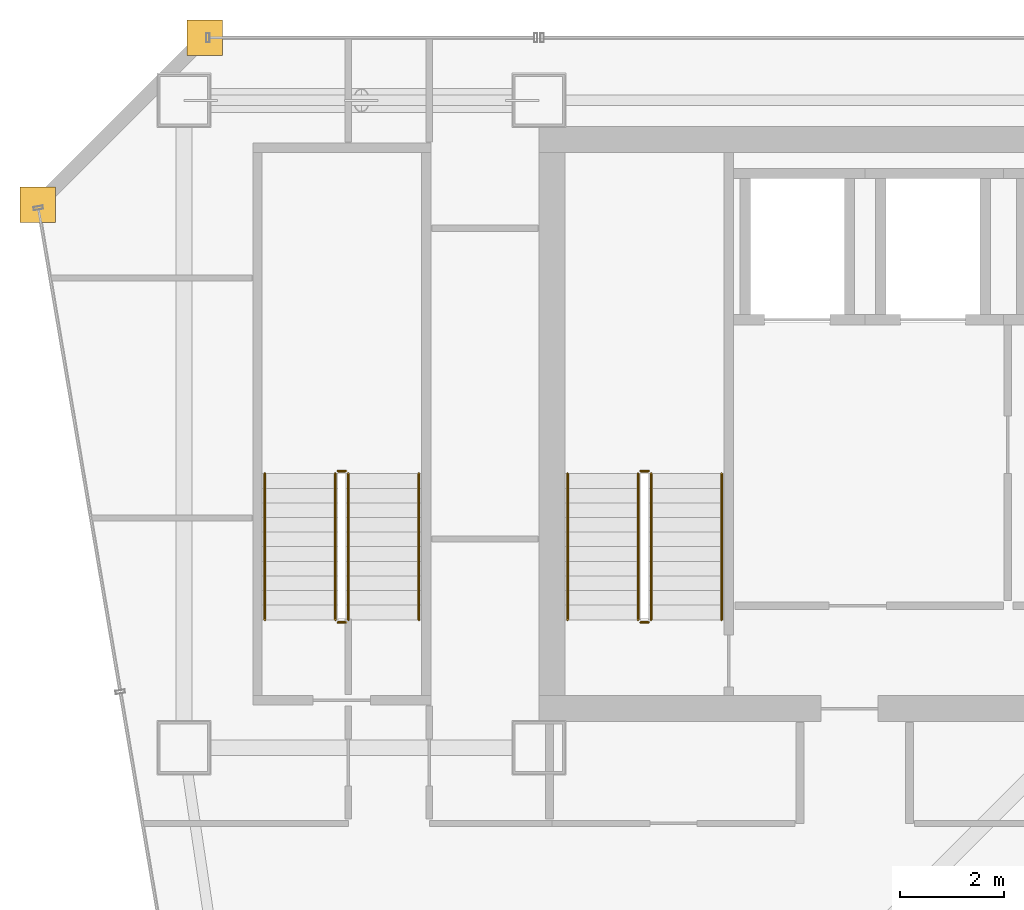
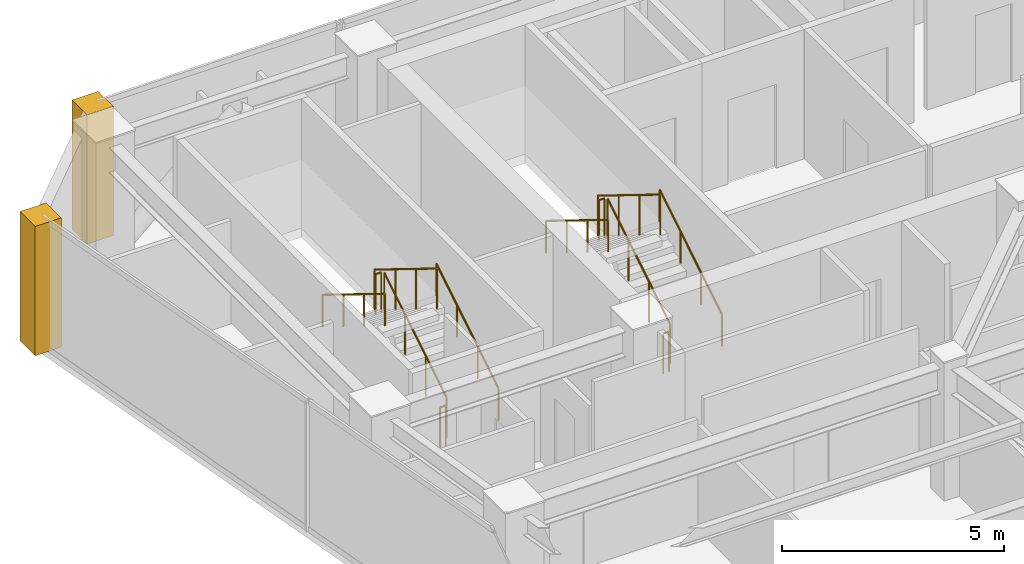
# One storey, part 34 of 35: 12 railings, 2 coverings.
"""IFC4 building model written with IfcOpenShell, lengths in metres."""

from ifc_helpers import new_model, si_unit, direction, frame, origin, origin_2d, place, context, subcontext, project, spatial, polyline, circle, outline, extrude, material, layer, layer_set, type_object, element, save


model = new_model("IFC4")

# Units and contexts
model_context = context("Model", 3, precision=1e-05, world=origin(), true_north=direction((0.0, 1.0)))
body_context = subcontext(model_context, "Body", "Model", "MODEL_VIEW")
ifc_project = project(units=[si_unit("LENGTHUNIT", "METRE"), si_unit("AREAUNIT", "SQUARE_METRE"), si_unit("VOLUMEUNIT", "CUBIC_METRE"), si_unit("PLANEANGLEUNIT", "RADIAN"), si_unit("MASSUNIT", "GRAM", prefix="KILO")], contexts=[model_context])

# Site, building, storey
site_placement = place(None, origin())
site = spatial("IfcSite", under=ifc_project, at=site_placement, CompositionType="ELEMENT")
building_placement = place(site_placement, origin())
building = spatial("IfcBuilding", under=site, at=building_placement, Name="Saevonmaru Cultural Tower", CompositionType="ELEMENT")
storey_placement = place(building_placement, frame((0.0, 0.0, 179.0)))
storey = spatial("IfcBuildingStorey", under=building, at=storey_placement, Name="L40", CompositionType="ELEMENT", Elevation=179.0)

# Coverings
ifc_material_1 = material(Name="Satin Bronze Anodised Aluminium", Category="aluminium")
ifc_layer = layer(ifc_material_1, 0.679931640625, Name="Satin Bronze Anodised Aluminium")
ifc_layer_set = layer_set([ifc_layer], Name="Satin Bronze Anodised Aluminium")
covering_type = type_object("IfcCoveringType", Name="CV-CORNER-CLAD", PredefinedType="CLADDING", material=ifc_layer_set)
covering_1_placement = place(storey_placement, origin())
element("IfcCovering", 1, at=covering_1_placement, inside=storey, type_object=covering_type, Name="L40 Tower Bronze Corner Cladding Pier 11", PredefinedType="CLADDING", context=body_context, shape_type="SweptSolid", body=[
    extrude(outline(polyline([(6.860107421875, 55.659912109375), (7.5400390625, 55.659912109375), (7.5400390625, 56.340087890625), (6.860107421875, 56.340087890625), (6.860107421875, 55.659912109375)])), origin(), (0.0, 0.0, 1.0), 3.550048828125),
])
covering_2_placement = place(storey_placement, origin())
element("IfcCovering", 2, at=covering_2_placement, inside=storey, type_object=covering_type, Name="L40 Tower Bronze Corner Cladding Pier 12", PredefinedType="CLADDING", context=body_context, shape_type="SweptSolid", body=[
    extrude(outline(polyline([(3.659912109375, 52.4599609375), (4.340087890625, 52.4599609375), (4.340087890625, 53.139892578125), (3.659912109375, 53.139892578125), (3.659912109375, 52.4599609375)])), origin(), (0.0, 0.0, 1.0), 3.550048828125),
])

# Railings
ifc_material_2 = material(Name="Architectural Painted Steel", Category="steel")
railing_type_1 = type_object("IfcRailingType", Name="RL-STAIR-GUARD", PredefinedType="GUARDRAIL", material=ifc_material_2)
railing_1_placement = place(storey_placement, frame((15.75, 44.85009765625, 0.172607421875)))
element("IfcRailing", 3, at=railing_1_placement, inside=storey, type_object=railing_type_1, Name="L40 ST-1 stair guard 1", PredefinedType="GUARDRAIL", context=body_context, shape_type="SweptSolid", body=[
    extrude(circle(Radius=0.02392578125, at=origin_2d()), frame((0.0, 0.0, 1.09619140625), z_axis=(0.0, 0.851069175582, 0.525053576669), x_axis=(-1.0, 0.0, 0.0)), (0.0, 0.0, 1.0), 3.289794921875),
    extrude(circle(Radius=0.02099609375, at=origin_2d()), origin(), (0.0, 0.0, 1.0), 1.072021484375),
    extrude(circle(Radius=0.02099609375, at=origin_2d()), frame((0.0, 0.933349609375, 0.57568359375)), (0.0, 0.0, 1.0), 1.072021484375),
    extrude(circle(Radius=0.02099609375, at=origin_2d()), frame((0.0, 1.866455078125, 1.151611328125)), (0.0, 0.0, 1.0), 1.072021484375),
    extrude(circle(Radius=0.02099609375, at=origin_2d()), frame((0.0, 2.7998046875, 1.727294921875)), (0.0, 0.0, 1.0), 1.072021484375),
])
railing_2_placement = place(storey_placement, frame((15.699951171875, 47.699951171875, 1.89990234375)))
element("IfcRailing", 4, at=railing_2_placement, inside=storey, type_object=railing_type_1, Name="L40 ST-1 stair guard 2", PredefinedType="GUARDRAIL", context=body_context, shape_type="SweptSolid", body=[
    extrude(circle(Radius=0.02392578125, at=origin_2d()), frame((0.0, 0.0, 1.09619140625), z_axis=(-1.0, 0.0, 0.0), x_axis=(0.0, -1.0, 0.0)), (0.0, 0.0, 1.0), 0.14990234375),
    extrude(circle(Radius=0.02099609375, at=origin_2d()), origin(), (0.0, 0.0, 1.0), 1.072021484375),
    extrude(circle(Radius=0.02099609375, at=origin_2d()), frame((-0.14990234375, 0.0, 0.0)), (0.0, 0.0, 1.0), 1.072021484375),
])
railing_3_placement = place(storey_placement, frame((15.5, 47.64990234375, 2.07275390625)))
element("IfcRailing", 5, at=railing_3_placement, inside=storey, type_object=railing_type_1, Name="L40 ST-1 stair guard 3", PredefinedType="GUARDRAIL", context=body_context, shape_type="SweptSolid", body=[
    extrude(circle(Radius=0.02392578125, at=origin_2d()), frame((0.0, 0.0, 1.09619140625), z_axis=(0.0, -0.851069175582, 0.525053576669), x_axis=(1.0, 0.0, 0.0)), (0.0, 0.0, 1.0), 3.289794921875),
    extrude(circle(Radius=0.02099609375, at=origin_2d()), origin(), (0.0, 0.0, 1.0), 1.072021484375),
    extrude(circle(Radius=0.02099609375, at=origin_2d()), frame((0.0, -0.933349609375, 0.57568359375)), (0.0, 0.0, 1.0), 1.072021484375),
    extrude(circle(Radius=0.02099609375, at=origin_2d()), frame((0.0, -1.866455078125, 1.151611328125)), (0.0, 0.0, 1.0), 1.072021484375),
    extrude(circle(Radius=0.02099609375, at=origin_2d()), frame((0.0, -2.7998046875, 1.727294921875)), (0.0, 0.0, 1.0), 1.072021484375),
])
railing_4_placement = place(storey_placement, frame((15.699951171875, 44.800048828125, 0.0)))
element("IfcRailing", 6, at=railing_4_placement, inside=storey, type_object=railing_type_1, Name="L40 ST-1 stair guard 4", PredefinedType="GUARDRAIL", context=body_context, shape_type="SweptSolid", body=[
    extrude(circle(Radius=0.02392578125, at=origin_2d()), frame((0.0, 0.0, 1.09619140625), z_axis=(-1.0, 0.0, 0.0), x_axis=(0.0, -1.0, 0.0)), (0.0, 0.0, 1.0), 0.14990234375),
    extrude(circle(Radius=0.02099609375, at=origin_2d()), origin(), (0.0, 0.0, 1.0), 1.072021484375),
    extrude(circle(Radius=0.02099609375, at=origin_2d()), frame((-0.14990234375, 0.0, 0.0)), (0.0, 0.0, 1.0), 1.072021484375),
])
railing_5_placement = place(storey_placement, frame((9.949951171875, 44.85009765625, 0.172607421875)))
element("IfcRailing", 7, at=railing_5_placement, inside=storey, type_object=railing_type_1, Name="L40 ST-3 stair guard 1", PredefinedType="GUARDRAIL", context=body_context, shape_type="SweptSolid", body=[
    extrude(circle(Radius=0.02392578125, at=origin_2d()), frame((0.0, 0.0, 1.09619140625), z_axis=(0.0, 0.851069175582, 0.525053576669), x_axis=(-1.0, 0.0, 0.0)), (0.0, 0.0, 1.0), 3.289794921875),
    extrude(circle(Radius=0.02099609375, at=origin_2d()), origin(), (0.0, 0.0, 1.0), 1.072021484375),
    extrude(circle(Radius=0.02099609375, at=origin_2d()), frame((0.0, 0.933349609375, 0.57568359375)), (0.0, 0.0, 1.0), 1.072021484375),
    extrude(circle(Radius=0.02099609375, at=origin_2d()), frame((0.0, 1.866455078125, 1.151611328125)), (0.0, 0.0, 1.0), 1.072021484375),
    extrude(circle(Radius=0.02099609375, at=origin_2d()), frame((0.0, 2.7998046875, 1.727294921875)), (0.0, 0.0, 1.0), 1.072021484375),
])
railing_6_placement = place(storey_placement, frame((9.89990234375, 47.699951171875, 1.89990234375)))
element("IfcRailing", 8, at=railing_6_placement, inside=storey, type_object=railing_type_1, Name="L40 ST-3 stair guard 2", PredefinedType="GUARDRAIL", context=body_context, shape_type="SweptSolid", body=[
    extrude(circle(Radius=0.02392578125, at=origin_2d()), frame((0.0, 0.0, 1.09619140625), z_axis=(-1.0, 0.0, 0.0), x_axis=(0.0, -1.0, 0.0)), (0.0, 0.0, 1.0), 0.14990234375),
    extrude(circle(Radius=0.02099609375, at=origin_2d()), origin(), (0.0, 0.0, 1.0), 1.072021484375),
    extrude(circle(Radius=0.02099609375, at=origin_2d()), frame((-0.14990234375, 0.0, 0.0)), (0.0, 0.0, 1.0), 1.072021484375),
])
railing_7_placement = place(storey_placement, frame((9.699951171875, 47.64990234375, 2.07275390625)))
element("IfcRailing", 9, at=railing_7_placement, inside=storey, type_object=railing_type_1, Name="L40 ST-3 stair guard 3", PredefinedType="GUARDRAIL", context=body_context, shape_type="SweptSolid", body=[
    extrude(circle(Radius=0.02392578125, at=origin_2d()), frame((0.0, 0.0, 1.09619140625), z_axis=(0.0, -0.851069175582, 0.525053576669), x_axis=(1.0, 0.0, 0.0)), (0.0, 0.0, 1.0), 3.289794921875),
    extrude(circle(Radius=0.02099609375, at=origin_2d()), origin(), (0.0, 0.0, 1.0), 1.072021484375),
    extrude(circle(Radius=0.02099609375, at=origin_2d()), frame((0.0, -0.933349609375, 0.57568359375)), (0.0, 0.0, 1.0), 1.072021484375),
    extrude(circle(Radius=0.02099609375, at=origin_2d()), frame((0.0, -1.866455078125, 1.151611328125)), (0.0, 0.0, 1.0), 1.072021484375),
    extrude(circle(Radius=0.02099609375, at=origin_2d()), frame((0.0, -2.7998046875, 1.727294921875)), (0.0, 0.0, 1.0), 1.072021484375),
])
railing_8_placement = place(storey_placement, frame((9.89990234375, 44.800048828125, 0.0)))
element("IfcRailing", 10, at=railing_8_placement, inside=storey, type_object=railing_type_1, Name="L40 ST-3 stair guard 4", PredefinedType="GUARDRAIL", context=body_context, shape_type="SweptSolid", body=[
    extrude(circle(Radius=0.02392578125, at=origin_2d()), frame((0.0, 0.0, 1.09619140625), z_axis=(-1.0, 0.0, 0.0), x_axis=(0.0, -1.0, 0.0)), (0.0, 0.0, 1.0), 0.14990234375),
    extrude(circle(Radius=0.02099609375, at=origin_2d()), origin(), (0.0, 0.0, 1.0), 1.072021484375),
    extrude(circle(Radius=0.02099609375, at=origin_2d()), frame((-0.14990234375, 0.0, 0.0)), (0.0, 0.0, 1.0), 1.072021484375),
])
railing_type_2 = type_object("IfcRailingType", Name="RL-STAIR-HANDRAIL", PredefinedType="HANDRAIL", material=ifc_material_1)
railing_9_placement = place(storey_placement, frame((17.10009765625, 44.85009765625, 0.172607421875)))
element("IfcRailing", 11, at=railing_9_placement, inside=storey, type_object=railing_type_2, Name="L40 ST-1 stair handrail 1", PredefinedType="HANDRAIL", context=body_context, shape_type="SweptSolid", body=[
    extrude(circle(Radius=0.02392578125, at=origin_2d()), frame((0.0, 0.0, 0.8759765625), z_axis=(0.0, 0.851069175582, 0.525053576669), x_axis=(-1.0, 0.0, 0.0)), (0.0, 0.0, 1.0), 3.289794921875),
    extrude(circle(Radius=0.02099609375, at=origin_2d()), origin(), (0.0, 0.0, 1.0), 0.851806640625),
    extrude(circle(Radius=0.02099609375, at=origin_2d()), frame((0.0, 0.933349609375, 0.57568359375)), (0.0, 0.0, 1.0), 0.851806640625),
    extrude(circle(Radius=0.02099609375, at=origin_2d()), frame((0.0, 1.866455078125, 1.151611328125)), (0.0, 0.0, 1.0), 0.851806640625),
    extrude(circle(Radius=0.02099609375, at=origin_2d()), frame((0.0, 2.7998046875, 1.727294921875)), (0.0, 0.0, 1.0), 0.851806640625),
])
railing_10_placement = place(storey_placement, frame((14.14990234375, 47.64990234375, 2.07275390625)))
element("IfcRailing", 12, at=railing_10_placement, inside=storey, type_object=railing_type_2, Name="L40 ST-1 stair handrail 2", PredefinedType="HANDRAIL", context=body_context, shape_type="SweptSolid", body=[
    extrude(circle(Radius=0.02392578125, at=origin_2d()), frame((0.0, 0.0, 0.8759765625), z_axis=(0.0, -0.851069175582, 0.525053576669), x_axis=(1.0, 0.0, 0.0)), (0.0, 0.0, 1.0), 3.289794921875),
    extrude(circle(Radius=0.02099609375, at=origin_2d()), origin(), (0.0, 0.0, 1.0), 0.851806640625),
    extrude(circle(Radius=0.02099609375, at=origin_2d()), frame((0.0, -0.933349609375, 0.57568359375)), (0.0, 0.0, 1.0), 0.851806640625),
    extrude(circle(Radius=0.02099609375, at=origin_2d()), frame((0.0, -1.866455078125, 1.151611328125)), (0.0, 0.0, 1.0), 0.851806640625),
    extrude(circle(Radius=0.02099609375, at=origin_2d()), frame((0.0, -2.7998046875, 1.727294921875)), (0.0, 0.0, 1.0), 0.851806640625),
])
railing_11_placement = place(storey_placement, frame((11.300048828125, 44.85009765625, 0.172607421875)))
element("IfcRailing", 13, at=railing_11_placement, inside=storey, type_object=railing_type_2, Name="L40 ST-3 stair handrail 1", PredefinedType="HANDRAIL", context=body_context, shape_type="SweptSolid", body=[
    extrude(circle(Radius=0.02392578125, at=origin_2d()), frame((0.0, 0.0, 0.8759765625), z_axis=(0.0, 0.851069175582, 0.525053576669), x_axis=(-1.0, 0.0, 0.0)), (0.0, 0.0, 1.0), 3.289794921875),
    extrude(circle(Radius=0.02099609375, at=origin_2d()), origin(), (0.0, 0.0, 1.0), 0.851806640625),
    extrude(circle(Radius=0.02099609375, at=origin_2d()), frame((0.0, 0.933349609375, 0.57568359375)), (0.0, 0.0, 1.0), 0.851806640625),
    extrude(circle(Radius=0.02099609375, at=origin_2d()), frame((0.0, 1.866455078125, 1.151611328125)), (0.0, 0.0, 1.0), 0.851806640625),
    extrude(circle(Radius=0.02099609375, at=origin_2d()), frame((0.0, 2.7998046875, 1.727294921875)), (0.0, 0.0, 1.0), 0.851806640625),
])
railing_12_placement = place(storey_placement, frame((8.35009765625, 47.64990234375, 2.07275390625)))
element("IfcRailing", 14, at=railing_12_placement, inside=storey, type_object=railing_type_2, Name="L40 ST-3 stair handrail 2", PredefinedType="HANDRAIL", context=body_context, shape_type="SweptSolid", body=[
    extrude(circle(Radius=0.02392578125, at=origin_2d()), frame((0.0, 0.0, 0.8759765625), z_axis=(0.0, -0.851069175582, 0.525053576669), x_axis=(1.0, 0.0, 0.0)), (0.0, 0.0, 1.0), 3.289794921875),
    extrude(circle(Radius=0.02099609375, at=origin_2d()), origin(), (0.0, 0.0, 1.0), 0.851806640625),
    extrude(circle(Radius=0.02099609375, at=origin_2d()), frame((0.0, -0.933349609375, 0.57568359375)), (0.0, 0.0, 1.0), 0.851806640625),
    extrude(circle(Radius=0.02099609375, at=origin_2d()), frame((0.0, -1.866455078125, 1.151611328125)), (0.0, 0.0, 1.0), 0.851806640625),
    extrude(circle(Radius=0.02099609375, at=origin_2d()), frame((0.0, -2.7998046875, 1.727294921875)), (0.0, 0.0, 1.0), 0.851806640625),
])

save(model, "model.ifc")
